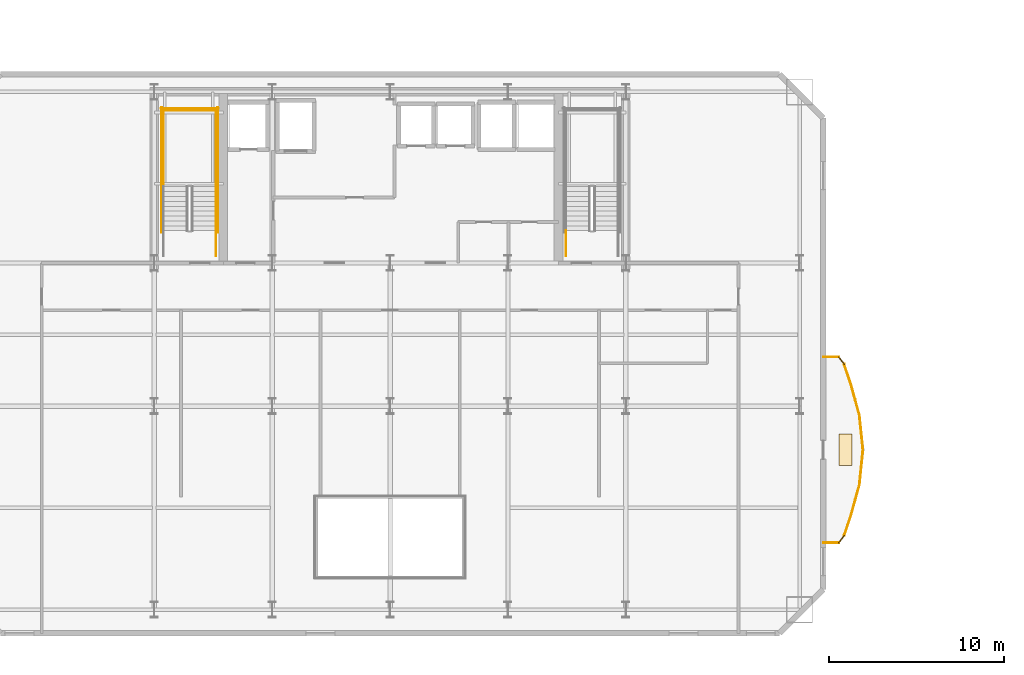
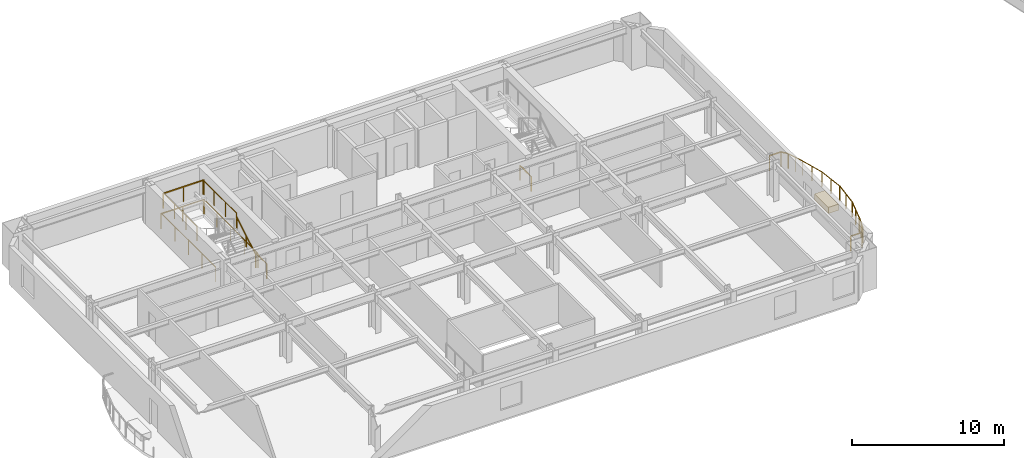
# One storey, part 11 of 14: 19 railings, 1 covering.
"""IFC4 building model written with IfcOpenShell, lengths in metres."""

import ifcopenshell
import ifcopenshell.guid

model = None  # the IFC model being written
_history = None  # IfcOwnerHistory: only IFC2X3 demands one
_inside = {}  # id of a spatial element -> (the spatial element, [elements in it])
_under = {}  # id of a project, library or spatial element -> (it, [spatial elements below it])
_declared = {}  # id of a project -> (the project, [libraries it declares])
_typed = {}  # id of a type object -> (the type object, [elements of that type])
_made_of = {}  # id of a material, layer set ... -> (it, [elements and type objects made of it])


def new_model(schema):
    """Start an empty IFC model of exactly this schema.

    Asked for "IFC4X3", IfcOpenShell would pick the latest addendum, in which some entities
    have other attributes; the version numbers below select the first issue.
    IFC2X3 requires an IfcOwnerHistory on every rooted entity: one is made here for all.
    """
    global model, _history
    if schema == "IFC4X3":
        model = ifcopenshell.file(schema_version=(4, 3, 0, 0))
    else:
        model = ifcopenshell.file(schema=schema)
    _inside.clear()
    _under.clear()
    _declared.clear()
    _typed.clear()
    _made_of.clear()
    _history = None
    if model.schema == "IFC2X3":
        org = make("IfcOrganization", Name="unknown")
        user = make(
            "IfcPersonAndOrganization",
            ThePerson=make("IfcPerson", FamilyName="unknown"),
            TheOrganization=org,
        )
        app = make(
            "IfcApplication",
            ApplicationDeveloper=org,
            Version="unknown",
            ApplicationFullName="unknown",
            ApplicationIdentifier="unknown",
        )
        _history = make(
            "IfcOwnerHistory",
            OwningUser=user,
            OwningApplication=app,
            ChangeAction="ADDED",
            CreationDate=0,
        )
    return model


def make(cls, **values):
    """One entity of the class cls with the attributes given. An attribute that is None is left unset."""
    return model.create_entity(
        cls, **{name: value for name, value in values.items() if value is not None}
    )


def rooted(cls, **values):
    """An entity with a GlobalId (a new one), such as an element, a storey or a relation."""
    return make(cls, GlobalId=ifcopenshell.guid.new(), OwnerHistory=_history, **values)


def si_unit(unit_type, name, prefix=None):
    """IfcSIUnit, for example si_unit("LENGTHUNIT", "METRE", prefix="MILLI")."""
    return make("IfcSIUnit", UnitType=unit_type, Prefix=prefix, Name=name)


def assignment(units):
    """IfcUnitAssignment: the units of a project."""
    return None if units is None else make("IfcUnitAssignment", Units=units)


def point(xyz):
    """IfcCartesianPoint."""
    return None if xyz is None else make("IfcCartesianPoint", Coordinates=xyz)


def direction(xyz):
    """IfcDirection."""
    return None if xyz is None else make("IfcDirection", DirectionRatios=xyz)


def frame(location, z_axis=None, x_axis=None):
    """IfcAxis2Placement3D, a coordinate frame: its origin and axes. An axis left out is left unset."""
    return make(
        "IfcAxis2Placement3D",
        Location=point(location),
        Axis=direction(z_axis),
        RefDirection=direction(x_axis),
    )


def frame_2d(location, x_axis=None):
    """IfcAxis2Placement2D, a coordinate frame in the plane: its origin and x axis."""
    return make(
        "IfcAxis2Placement2D", Location=point(location), RefDirection=direction(x_axis)
    )


def origin():
    """The frame at (0, 0, 0) with its axes left unset."""
    return frame((0.0, 0.0, 0.0))


def origin_2d():
    """The frame at (0, 0) in the plane with its x axis left unset."""
    return frame_2d((0.0, 0.0))


def place(relative_to, where):
    """IfcLocalPlacement: puts the frame where relative to a parent placement (None: the world)."""
    return make(
        "IfcLocalPlacement", PlacementRelTo=relative_to, RelativePlacement=where
    )


def context(
    kind, dimensions, precision=None, world=None, true_north=None, identifier=None
):
    """IfcGeometricRepresentationContext, for example the 3D "Model" context."""
    return make(
        "IfcGeometricRepresentationContext",
        ContextIdentifier=identifier,
        ContextType=kind,
        CoordinateSpaceDimension=dimensions,
        Precision=precision,
        WorldCoordinateSystem=world,
        TrueNorth=true_north,
    )


def subcontext(parent, identifier, kind, view, scale=None):
    """IfcGeometricRepresentationSubContext, for example "Body" below "Model"."""
    return make(
        "IfcGeometricRepresentationSubContext",
        ContextIdentifier=identifier,
        ContextType=kind,
        ParentContext=parent,
        TargetScale=scale,
        TargetView=view,
    )


def project(units=None, contexts=None):
    """IfcProject with its units and contexts."""
    return rooted(
        "IfcProject",
        Name="project",
        RepresentationContexts=contexts,
        UnitsInContext=assignment(units),
    )


def spatial(cls, under=None, at=None, **own):
    """A site, building, storey or space (cls), placed at a placement, below another one or the project."""
    s = rooted(cls, ObjectPlacement=at, **own)
    if under is not None:
        _under.setdefault(under.id(), (under, []))[1].append(s)
    return s


def profile(cls, at=None, kind="AREA", **sizes):
    """A parametric profile (cls). Its sizes go by their IFC names, for example OverallWidth=200.0."""
    return make(cls, ProfileType=kind, Position=at, **sizes)


def rectangle(**sizes):
    """IfcRectangleProfileDef."""
    return profile("IfcRectangleProfileDef", **sizes)


def extrude(swept, where, along, depth):
    """IfcExtrudedAreaSolid: the profile swept, set in the frame where, extruded along a direction by depth."""
    return make(
        "IfcExtrudedAreaSolid",
        SweptArea=swept,
        Position=where,
        ExtrudedDirection=direction(along),
        Depth=depth,
    )


def shape(context_of_items, identifier, shape_type, items):
    """IfcShapeRepresentation: the items that make up one representation, for example the "Body"."""
    return make(
        "IfcShapeRepresentation",
        ContextOfItems=context_of_items,
        RepresentationIdentifier=identifier,
        RepresentationType=shape_type,
        Items=items,
    )


def material(Name=None, Category=None):
    """IfcMaterial."""
    return make("IfcMaterial", Name=Name, Category=Category)


def layer(
    of_material, thickness, ventilated=None, Name=None, Category=None, Priority=None
):
    """IfcMaterialLayer: one layer of a wall or slab, of a material (None: an air gap)."""
    return make(
        "IfcMaterialLayer",
        Material=of_material,
        LayerThickness=thickness,
        IsVentilated=ventilated,
        Name=Name,
        Category=Category,
        Priority=Priority,
    )


def layer_set(layers, Name=None):
    """IfcMaterialLayerSet."""
    return make("IfcMaterialLayerSet", MaterialLayers=layers, LayerSetName=Name)


def made_of(thing, what):
    """Note that an element or type object is made of a material, layer set ...; save() writes the relation."""
    if what is not None:
        _made_of.setdefault(what.id(), (what, []))[1].append(thing)
    return thing


def type_object(cls, material=None, **own):
    """A type object (cls), such as IfcWallType, which elements share."""
    return made_of(rooted(cls, **own), material)


def element(
    cls,
    number,
    at=None,
    inside=None,
    cuts=None,
    type_object=None,
    material=None,
    context=None,
    identifier="Body",
    shape_type=None,
    held_by="IfcProductDefinitionShape",
    body=None,
    shapes=None,
    **own,
):
    """One element of the class cls, such as IfcWall. Its Tag is "e" and its number.

    at: its placement. inside: the storey or other place that contains it. cuts: it is an
    opening in that element (IfcRelVoidsElement). A single representation is given by context,
    identifier, shape_type and body (its items); several are given by shapes. held_by: the class
    of the entity that holds the representations. save() writes the other relations.
    """
    e = rooted(cls, Tag="e%d" % number, ObjectPlacement=at, **own)
    if body is not None:
        shapes = [shape(context, identifier, shape_type, body)]
    if shapes is not None:
        e.Representation = make(held_by, Representations=shapes)
    if inside is not None:
        _inside.setdefault(inside.id(), (inside, []))[1].append(e)
    if cuts is not None:
        rooted(
            "IfcRelVoidsElement", RelatingBuildingElement=cuts, RelatedOpeningElement=e
        )
    if type_object is not None:
        _typed.setdefault(type_object.id(), (type_object, []))[1].append(e)
    return made_of(e, material)


def aggregate(whole, parts):
    """IfcRelAggregates: a whole, such as a stair, and the parts it consists of."""
    return rooted("IfcRelAggregates", RelatingObject=whole, RelatedObjects=parts)


def save(model, path):
    """Write the relations noted so far, then the file.

    IfcRelAggregates (storeys below a building ...), IfcRelContainedInSpatialStructure (elements
    in a storey), IfcRelDefinesByType, IfcRelAssociatesMaterial and IfcRelDeclares: one each for
    every whole, place, type object, material and project.
    """
    for whole, parts in _under.values():
        aggregate(whole, parts)
    for where, things in _inside.values():
        rooted(
            "IfcRelContainedInSpatialStructure",
            RelatedElements=things,
            RelatingStructure=where,
        )
    for kind, things in _typed.values():
        rooted("IfcRelDefinesByType", RelatedObjects=things, RelatingType=kind)
    for what, things in _made_of.values():
        rooted("IfcRelAssociatesMaterial", RelatedObjects=things, RelatingMaterial=what)
    for by, libraries in _declared.values():
        rooted("IfcRelDeclares", RelatingContext=by, RelatedDefinitions=libraries)
    model.write(path)


model = new_model("IFC4")

# Units and contexts
model_context = context("Model", 3, precision=1e-05, world=origin(), true_north=direction((0.0, 1.0)))
body_context = subcontext(model_context, "Body", "Model", "MODEL_VIEW")
ifc_project = project(units=[si_unit("LENGTHUNIT", "METRE"), si_unit("AREAUNIT", "SQUARE_METRE"), si_unit("VOLUMEUNIT", "CUBIC_METRE"), si_unit("PLANEANGLEUNIT", "RADIAN"), si_unit("MASSUNIT", "GRAM", prefix="KILO")], contexts=[model_context])

# Site, building, storey
site_placement = place(None, origin())
site = spatial("IfcSite", under=ifc_project, at=site_placement, CompositionType="ELEMENT")
building_placement = place(site_placement, origin())
building = spatial("IfcBuilding", under=site, at=building_placement, Name="Haevon Station Towers", CompositionType="ELEMENT")
storey_placement = place(building_placement, frame((0.0, 0.0, 86.699951171875)))
storey = spatial("IfcBuildingStorey", under=building, at=storey_placement, Name="L22", CompositionType="ELEMENT", Elevation=86.699951171875)

# Railings
ifc_material_1 = material(Name="Steel S355", Category="steel")
railing_type_1 = type_object("IfcRailingType", Name="GRD-EXT1200", PredefinedType="GUARDRAIL", material=ifc_material_1)
railing_1_placement = place(storey_placement, frame((62.3232421875, 22.177978515625, 0.0)))
element("IfcRailing", 1, at=railing_1_placement, inside=storey, type_object=railing_type_1, Name="L22 Perimeter Guardrail 1", PredefinedType="GUARDRAIL", context=body_context, shape_type="SweptSolid", body=[
    extrude(rectangle(XDim=0.048095703125, YDim=0.048095703125, at=origin_2d()), frame((0.0, 0.0, 1.17578125), z_axis=(0.999998067939, 0.001965736163, 0.0), x_axis=(-0.001965736163, 0.999998067939, 0.0)), (0.0, 0.0, 1.0), 0.869384765625),
    extrude(rectangle(XDim=0.0419921875, YDim=0.0419921875, at=origin_2d()), origin(), (0.0, 0.0, 1.0), 1.15185546875),
    extrude(rectangle(XDim=0.0419921875, YDim=0.0419921875, at=origin_2d()), frame((0.869384765625, 0.001708984375, 0.0)), (0.0, 0.0, 1.0), 1.15185546875),
])
railing_2_placement = place(storey_placement, frame((63.192626953125, 22.1796875, 0.0)))
element("IfcRailing", 2, at=railing_2_placement, inside=storey, type_object=railing_type_1, Name="L22 Perimeter Guardrail 2", PredefinedType="GUARDRAIL", context=body_context, shape_type="SweptSolid", body=[
    extrude(rectangle(XDim=0.048095703125, YDim=0.048095703125, at=origin_2d()), frame((0.0, 0.0, 1.17578125), z_axis=(0.603100928496, 0.797664885805, 0.0), x_axis=(-0.797664885805, 0.603100928496, 0.0)), (0.0, 0.0, 1.0), 0.515625),
    extrude(rectangle(XDim=0.0419921875, YDim=0.0419921875, at=origin_2d()), origin(), (0.0, 0.0, 1.0), 1.15185546875),
    extrude(rectangle(XDim=0.0419921875, YDim=0.0419921875, at=origin_2d()), frame((0.31103515625, 0.411376953125, 0.0)), (0.0, 0.0, 1.0), 1.15185546875),
])
railing_3_placement = place(storey_placement, frame((63.503662109375, 22.591064453125, 0.0)))
element("IfcRailing", 3, at=railing_3_placement, inside=storey, type_object=railing_type_1, Name="L22 Perimeter Guardrail 3", PredefinedType="GUARDRAIL", context=body_context, shape_type="SweptSolid", body=[
    extrude(rectangle(XDim=0.048095703125, YDim=0.048095703125, at=origin_2d()), frame((0.0, 0.0, 1.17578125), z_axis=(0.315217781166, 0.949019362519, 0.0), x_axis=(-0.949019362519, 0.315217781166, 0.0)), (0.0, 0.0, 1.0), 1.23291015625),
    extrude(rectangle(XDim=0.0419921875, YDim=0.0419921875, at=origin_2d()), origin(), (0.0, 0.0, 1.0), 1.15185546875),
    extrude(rectangle(XDim=0.0419921875, YDim=0.0419921875, at=origin_2d()), frame((0.1943359375, 0.5849609375, 0.0)), (0.0, 0.0, 1.0), 1.15185546875),
    extrude(rectangle(XDim=0.0419921875, YDim=0.0419921875, at=origin_2d()), frame((0.388671875, 1.170166015625, 0.0)), (0.0, 0.0, 1.0), 1.15185546875),
])
railing_4_placement = place(storey_placement, frame((63.892333984375, 23.76123046875, 0.0)))
element("IfcRailing", 4, at=railing_4_placement, inside=storey, type_object=railing_type_1, Name="L22 Perimeter Guardrail 4", PredefinedType="GUARDRAIL", context=body_context, shape_type="SweptSolid", body=[
    extrude(rectangle(XDim=0.048095703125, YDim=0.048095703125, at=origin_2d()), frame((0.0, 0.0, 1.17578125), z_axis=(0.266399621619, 0.963862667397, 0.0), x_axis=(-0.963862667397, 0.266399621619, 0.0)), (0.0, 0.0, 1.0), 1.811767578125),
    extrude(rectangle(XDim=0.0419921875, YDim=0.0419921875, at=origin_2d()), origin(), (0.0, 0.0, 1.0), 1.15185546875),
    extrude(rectangle(XDim=0.0419921875, YDim=0.0419921875, at=origin_2d()), frame((0.2412109375, 0.873046875, 0.0)), (0.0, 0.0, 1.0), 1.15185546875),
    extrude(rectangle(XDim=0.0419921875, YDim=0.0419921875, at=origin_2d()), frame((0.482666015625, 1.746337890625, 0.0)), (0.0, 0.0, 1.0), 1.15185546875),
])
railing_5_placement = place(storey_placement, frame((64.375, 25.507568359375, 0.0)))
element("IfcRailing", 5, at=railing_5_placement, inside=storey, type_object=railing_type_1, Name="L22 Perimeter Guardrail 5", PredefinedType="GUARDRAIL", context=body_context, shape_type="SweptSolid", body=[
    extrude(rectangle(XDim=0.048095703125, YDim=0.048095703125, at=origin_2d()), frame((0.0, 0.0, 1.17578125), z_axis=(0.101784512021, 0.99480647018, 0.0), x_axis=(-0.99480647018, 0.101784512021, 0.0)), (0.0, 0.0, 1.0), 2.0029296875),
    extrude(rectangle(XDim=0.0419921875, YDim=0.0419921875, at=origin_2d()), origin(), (0.0, 0.0, 1.0), 1.15185546875),
    extrude(rectangle(XDim=0.0419921875, YDim=0.0419921875, at=origin_2d()), frame((0.10205078125, 0.99609375, 0.0)), (0.0, 0.0, 1.0), 1.15185546875),
    extrude(rectangle(XDim=0.0419921875, YDim=0.0419921875, at=origin_2d()), frame((0.203857421875, 1.992431640625, 0.0)), (0.0, 0.0, 1.0), 1.15185546875),
])
railing_6_placement = place(storey_placement, frame((64.578857421875, 27.5, 0.0)))
element("IfcRailing", 6, at=railing_6_placement, inside=storey, type_object=railing_type_1, Name="L22 Perimeter Guardrail 6", PredefinedType="GUARDRAIL", context=body_context, shape_type="SweptSolid", body=[
    extrude(rectangle(XDim=0.048095703125, YDim=0.048095703125, at=origin_2d()), frame((0.0, 0.0, 1.17578125), z_axis=(-0.101784512021, 0.99480647018, 0.0), x_axis=(-0.99480647018, -0.101784512021, 0.0)), (0.0, 0.0, 1.0), 2.0029296875),
    extrude(rectangle(XDim=0.0419921875, YDim=0.0419921875, at=origin_2d()), origin(), (0.0, 0.0, 1.0), 1.15185546875),
    extrude(rectangle(XDim=0.0419921875, YDim=0.0419921875, at=origin_2d()), frame((-0.10205078125, 0.99609375, 0.0)), (0.0, 0.0, 1.0), 1.15185546875),
    extrude(rectangle(XDim=0.0419921875, YDim=0.0419921875, at=origin_2d()), frame((-0.203857421875, 1.992431640625, 0.0)), (0.0, 0.0, 1.0), 1.15185546875),
])
railing_7_placement = place(storey_placement, frame((64.375, 29.492431640625, 0.0)))
element("IfcRailing", 7, at=railing_7_placement, inside=storey, type_object=railing_type_1, Name="L22 Perimeter Guardrail 7", PredefinedType="GUARDRAIL", context=body_context, shape_type="SweptSolid", body=[
    extrude(rectangle(XDim=0.048095703125, YDim=0.048095703125, at=origin_2d()), frame((0.0, 0.0, 1.17578125), z_axis=(-0.266399621619, 0.963862667397, 0.0), x_axis=(-0.963862667397, -0.266399621619, 0.0)), (0.0, 0.0, 1.0), 1.811767578125),
    extrude(rectangle(XDim=0.0419921875, YDim=0.0419921875, at=origin_2d()), origin(), (0.0, 0.0, 1.0), 1.15185546875),
    extrude(rectangle(XDim=0.0419921875, YDim=0.0419921875, at=origin_2d()), frame((-0.2412109375, 0.873046875, 0.0)), (0.0, 0.0, 1.0), 1.15185546875),
    extrude(rectangle(XDim=0.0419921875, YDim=0.0419921875, at=origin_2d()), frame((-0.482666015625, 1.746337890625, 0.0)), (0.0, 0.0, 1.0), 1.15185546875),
])
railing_8_placement = place(storey_placement, frame((63.892333984375, 31.23876953125, 0.0)))
element("IfcRailing", 8, at=railing_8_placement, inside=storey, type_object=railing_type_1, Name="L22 Perimeter Guardrail 8", PredefinedType="GUARDRAIL", context=body_context, shape_type="SweptSolid", body=[
    extrude(rectangle(XDim=0.048095703125, YDim=0.048095703125, at=origin_2d()), frame((0.0, 0.0, 1.17578125), z_axis=(-0.315217781166, 0.949019362519, 0.0), x_axis=(-0.949019362519, -0.315217781166, 0.0)), (0.0, 0.0, 1.0), 1.23291015625),
    extrude(rectangle(XDim=0.0419921875, YDim=0.0419921875, at=origin_2d()), origin(), (0.0, 0.0, 1.0), 1.15185546875),
    extrude(rectangle(XDim=0.0419921875, YDim=0.0419921875, at=origin_2d()), frame((-0.1943359375, 0.5849609375, 0.0)), (0.0, 0.0, 1.0), 1.15185546875),
    extrude(rectangle(XDim=0.0419921875, YDim=0.0419921875, at=origin_2d()), frame((-0.388671875, 1.170166015625, 0.0)), (0.0, 0.0, 1.0), 1.15185546875),
])
railing_9_placement = place(storey_placement, frame((63.503662109375, 32.408935546875, 0.0)))
element("IfcRailing", 9, at=railing_9_placement, inside=storey, type_object=railing_type_1, Name="L22 Perimeter Guardrail 9", PredefinedType="GUARDRAIL", context=body_context, shape_type="SweptSolid", body=[
    extrude(rectangle(XDim=0.048095703125, YDim=0.048095703125, at=origin_2d()), frame((0.0, 0.0, 1.17578125), z_axis=(-0.603100928496, 0.797664885805, 0.0), x_axis=(-0.797664885805, -0.603100928496, 0.0)), (0.0, 0.0, 1.0), 0.515625),
    extrude(rectangle(XDim=0.0419921875, YDim=0.0419921875, at=origin_2d()), origin(), (0.0, 0.0, 1.0), 1.15185546875),
    extrude(rectangle(XDim=0.0419921875, YDim=0.0419921875, at=origin_2d()), frame((-0.31103515625, 0.411376953125, 0.0)), (0.0, 0.0, 1.0), 1.15185546875),
])
railing_10_placement = place(storey_placement, frame((63.192626953125, 32.8203125, 0.0)))
element("IfcRailing", 10, at=railing_10_placement, inside=storey, type_object=railing_type_1, Name="L22 Perimeter Guardrail 10", PredefinedType="GUARDRAIL", context=body_context, shape_type="SweptSolid", body=[
    extrude(rectangle(XDim=0.048095703125, YDim=0.048095703125, at=origin_2d()), frame((0.0, 0.0, 1.17578125), z_axis=(-0.999998067939, 0.001965736163, 0.0), x_axis=(-0.001965736163, -0.999998067939, 0.0)), (0.0, 0.0, 1.0), 0.869384765625),
    extrude(rectangle(XDim=0.0419921875, YDim=0.0419921875, at=origin_2d()), origin(), (0.0, 0.0, 1.0), 1.15185546875),
    extrude(rectangle(XDim=0.0419921875, YDim=0.0419921875, at=origin_2d()), frame((-0.869384765625, 0.001708984375, 0.0)), (0.0, 0.0, 1.0), 1.15185546875),
])
railing_type_2 = type_object("IfcRailingType", Name="GRD-STR1200", PredefinedType="GUARDRAIL", material=ifc_material_1)
for number, where, name in (
    (11, (27.530029296875, 42.570068359375, 1.650146484375), "L22 ST1 Stair Guard 3"),
    (12, (24.530029296875, 42.570068359375, 1.650146484375), "L22 ST1 Stair Guard 4"),
):
    element("IfcRailing", number, at=place(storey_placement, frame(where)), inside=storey, type_object=railing_type_2, Name=name, PredefinedType="GUARDRAIL", context=body_context, shape_type="SweptSolid", body=[
        extrude(rectangle(XDim=0.048095703125, YDim=0.048095703125, at=origin_2d()), frame((0.0, 0.0, 1.17578125), z_axis=(0.0, 1.0, 0.0), x_axis=(-1.0, 0.0, 0.0)), (0.0, 0.0, 1.0), 4.429931640625),
        extrude(rectangle(XDim=0.0419921875, YDim=0.0419921875, at=origin_2d()), origin(), (0.0, 0.0, 1.0), 1.15185546875),
        extrude(rectangle(XDim=0.0419921875, YDim=0.0419921875, at=origin_2d()), frame((0.0, 1.4765625, 0.0)), (0.0, 0.0, 1.0), 1.15185546875),
        extrude(rectangle(XDim=0.0419921875, YDim=0.0419921875, at=origin_2d()), frame((0.0, 2.953369140625, 0.0)), (0.0, 0.0, 1.0), 1.15185546875),
        extrude(rectangle(XDim=0.0419921875, YDim=0.0419921875, at=origin_2d()), frame((0.0, 4.429931640625, 0.0)), (0.0, 0.0, 1.0), 1.15185546875),
    ])
railing_11_placement = place(storey_placement, frame((27.580078125, 46.949951171875, 1.650146484375)))
element("IfcRailing", 13, at=railing_11_placement, inside=storey, type_object=railing_type_2, Name="L22 ST1 Stair Guard 5", PredefinedType="GUARDRAIL", context=body_context, shape_type="SweptSolid", body=[
    extrude(rectangle(XDim=0.048095703125, YDim=0.048095703125, at=origin_2d()), frame((0.0, 0.0, 1.17578125), z_axis=(-1.0, 0.0, 0.0), x_axis=(0.0, -1.0, 0.0)), (0.0, 0.0, 1.0), 3.10009765625),
    extrude(rectangle(XDim=0.0419921875, YDim=0.0419921875, at=origin_2d()), origin(), (0.0, 0.0, 1.0), 1.15185546875),
    extrude(rectangle(XDim=0.0419921875, YDim=0.0419921875, at=origin_2d()), frame((-1.550048828125, 0.0, 0.0)), (0.0, 0.0, 1.0), 1.15185546875),
    extrude(rectangle(XDim=0.0419921875, YDim=0.0419921875, at=origin_2d()), frame((-3.10009765625, 0.0, 0.0)), (0.0, 0.0, 1.0), 1.15185546875),
])
railing_12_placement = place(storey_placement, frame((27.530029296875, 38.60009765625, 0.0)))
element("IfcRailing", 14, at=railing_12_placement, inside=storey, type_object=railing_type_2, Name="L22 ST1 Stair Guard 8", PredefinedType="GUARDRAIL", context=body_context, shape_type="SweptSolid", body=[
    extrude(rectangle(XDim=0.048095703125, YDim=0.048095703125, at=origin_2d()), frame((0.0, 0.0, 1.17578125), z_axis=(0.0, 1.0, 0.0), x_axis=(-1.0, 0.0, 0.0)), (0.0, 0.0, 1.0), 1.449951171875),
    extrude(rectangle(XDim=0.0419921875, YDim=0.0419921875, at=origin_2d()), origin(), (0.0, 0.0, 1.0), 1.15185546875),
    extrude(rectangle(XDim=0.0419921875, YDim=0.0419921875, at=origin_2d()), frame((0.0, 1.449951171875, 0.0)), (0.0, 0.0, 1.0), 1.15185546875),
])
for number, where, name in (
    (15, (27.6298828125, 39.949951171875, 0.0), "L22 ST1 Stair Guard 10"),
    (16, (24.429931640625, 39.949951171875, 0.0), "L22 ST1 Stair Guard 11"),
):
    element("IfcRailing", number, at=place(storey_placement, frame(where)), inside=storey, type_object=railing_type_2, Name=name, PredefinedType="GUARDRAIL", context=body_context, shape_type="SweptSolid", body=[
        extrude(rectangle(XDim=0.048095703125, YDim=0.048095703125, at=origin_2d()), frame((0.0, 0.0, 1.17578125), z_axis=(0.0, 1.0, 0.0), x_axis=(-1.0, 0.0, 0.0)), (0.0, 0.0, 1.0), 7.150146484375),
        extrude(rectangle(XDim=0.0419921875, YDim=0.0419921875, at=origin_2d()), origin(), (0.0, 0.0, 1.0), 1.15185546875),
        extrude(rectangle(XDim=0.0419921875, YDim=0.0419921875, at=origin_2d()), frame((0.0, 1.78759765625, 0.0)), (0.0, 0.0, 1.0), 1.15185546875),
        extrude(rectangle(XDim=0.0419921875, YDim=0.0419921875, at=origin_2d()), frame((0.0, 3.5751953125, 0.0)), (0.0, 0.0, 1.0), 1.15185546875),
        extrude(rectangle(XDim=0.0419921875, YDim=0.0419921875, at=origin_2d()), frame((0.0, 5.362548828125, 0.0)), (0.0, 0.0, 1.0), 1.15185546875),
        extrude(rectangle(XDim=0.0419921875, YDim=0.0419921875, at=origin_2d()), frame((0.0, 7.150146484375, 0.0)), (0.0, 0.0, 1.0), 1.15185546875),
    ])
railing_13_placement = place(storey_placement, frame((27.679931640625, 47.050048828125, 0.0)))
element("IfcRailing", 17, at=railing_13_placement, inside=storey, type_object=railing_type_2, Name="L22 ST1 Stair Guard 12", PredefinedType="GUARDRAIL", context=body_context, shape_type="SweptSolid", body=[
    extrude(rectangle(XDim=0.048095703125, YDim=0.048095703125, at=origin_2d()), frame((0.0, 0.0, 1.17578125), z_axis=(-1.0, 0.0, 0.0), x_axis=(0.0, -1.0, 0.0)), (0.0, 0.0, 1.0), 3.300048828125),
    extrude(rectangle(XDim=0.0419921875, YDim=0.0419921875, at=origin_2d()), origin(), (0.0, 0.0, 1.0), 1.15185546875),
    extrude(rectangle(XDim=0.0419921875, YDim=0.0419921875, at=origin_2d()), frame((-1.64990234375, 0.0, 0.0)), (0.0, 0.0, 1.0), 1.15185546875),
    extrude(rectangle(XDim=0.0419921875, YDim=0.0419921875, at=origin_2d()), frame((-3.300048828125, 0.0, 0.0)), (0.0, 0.0, 1.0), 1.15185546875),
])
railing_14_placement = place(storey_placement, frame((47.570068359375, 38.60009765625, 0.0)))
element("IfcRailing", 18, at=railing_14_placement, inside=storey, type_object=railing_type_2, Name="L22 ST2 Stair Guard 9", PredefinedType="GUARDRAIL", context=body_context, shape_type="SweptSolid", body=[
    extrude(rectangle(XDim=0.048095703125, YDim=0.048095703125, at=origin_2d()), frame((0.0, 0.0, 1.17578125), z_axis=(0.0, 1.0, 0.0), x_axis=(-1.0, 0.0, 0.0)), (0.0, 0.0, 1.0), 1.449951171875),
    extrude(rectangle(XDim=0.0419921875, YDim=0.0419921875, at=origin_2d()), origin(), (0.0, 0.0, 1.0), 1.15185546875),
    extrude(rectangle(XDim=0.0419921875, YDim=0.0419921875, at=origin_2d()), frame((0.0, 1.449951171875, 0.0)), (0.0, 0.0, 1.0), 1.15185546875),
])
railing_type_3 = type_object("IfcRailingType", Name="HND-STR900", PredefinedType="HANDRAIL", material=ifc_material_1)
railing_15_placement = place(storey_placement, frame((27.530029296875, 40.050048828125, 0.1650390625)))
element("IfcRailing", 19, at=railing_15_placement, inside=storey, type_object=railing_type_3, Name="L22 ST1 Stair Handrail 1", PredefinedType="HANDRAIL", context=body_context, shape_type="SweptSolid", body=[
    extrude(rectangle(XDim=0.048095703125, YDim=0.048095703125, at=origin_2d()), frame((0.0, 0.0, 0.8759765625), z_axis=(0.0, 0.86152411907, 0.507716645641), x_axis=(-1.0, 0.0, 0.0)), (0.0, 0.0, 1.0), 2.925048828125),
    extrude(rectangle(XDim=0.0419921875, YDim=0.0419921875, at=origin_2d()), origin(), (0.0, 0.0, 1.0), 0.851806640625),
    extrude(rectangle(XDim=0.0419921875, YDim=0.0419921875, at=origin_2d()), frame((0.0, 1.260009765625, 0.74267578125)), (0.0, 0.0, 1.0), 0.851806640625),
    extrude(rectangle(XDim=0.0419921875, YDim=0.0419921875, at=origin_2d()), frame((0.0, 2.52001953125, 1.485107421875)), (0.0, 0.0, 1.0), 0.851806640625),
])

# Covering
ifc_material_2 = material(Name="Architectural planter GRC", Category="concrete")
ifc_layer = layer(ifc_material_2, 0.550048828125)
ifc_layer_set = layer_set([ifc_layer], Name="Architectural planter GRC")
covering_type = type_object("IfcCoveringType", Name="PLN-GRC550", PredefinedType="MOLDING", material=ifc_layer_set)
covering_placement = place(storey_placement, frame((63.56884765625, 27.5, 0.0), z_axis=(0.0, 0.0, 1.0), x_axis=(1.0, 0.0, 0.0)))
element("IfcCovering", 20, at=covering_placement, inside=storey, type_object=covering_type, Name="Tower 1 L22 Scalloped Balcony PLANTER", PredefinedType="MOLDING", context=body_context, shape_type="SweptSolid", body=[
    extrude(rectangle(XDim=0.75, YDim=1.800048828125, at=origin_2d()), origin(), (0.0, 0.0, 1.0), 0.5),
])

save(model, "model.ifc")
